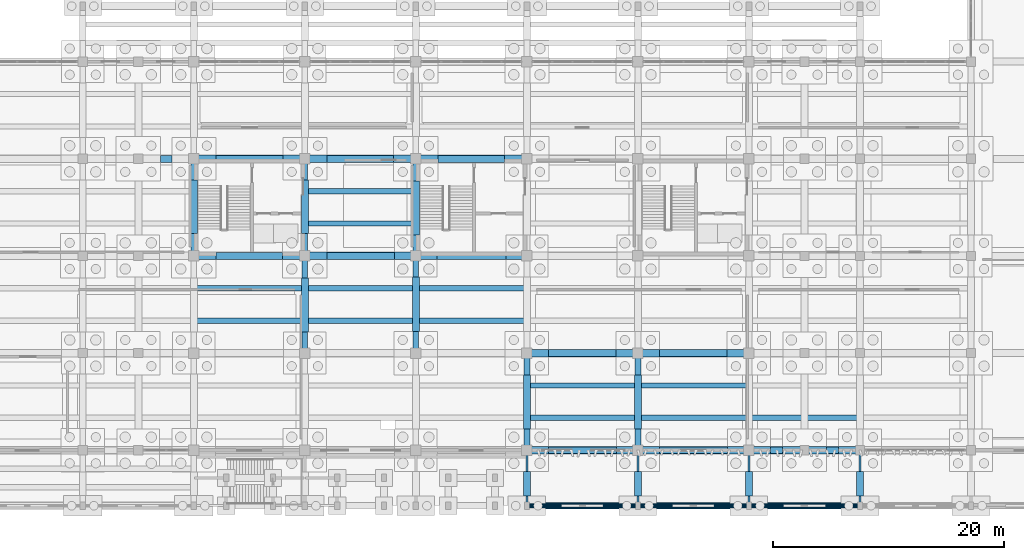
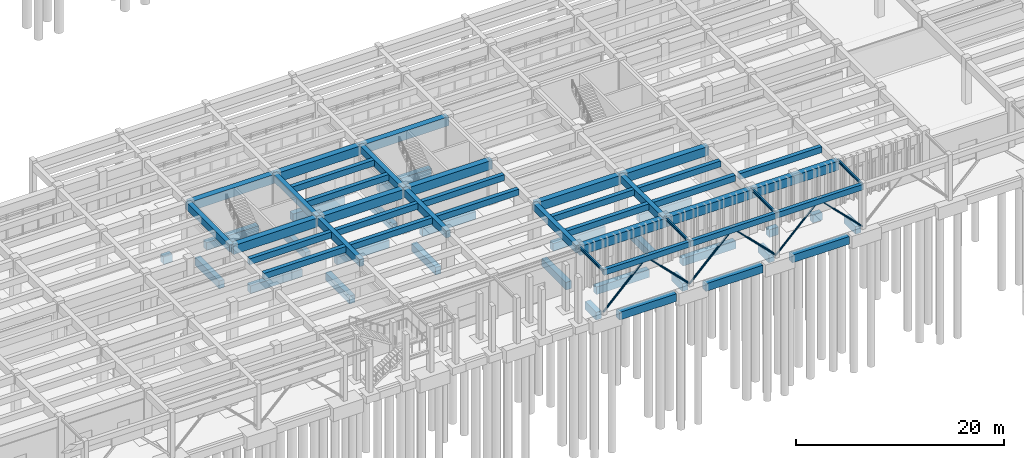
# One storey, part 23 of 102: 65 beams, 6 members.
"""IFC4 building model written with IfcOpenShell, lengths in metres."""

from ifc_helpers import new_model, si_unit, direction, frame, origin, origin_2d, place, context, subcontext, project, spatial, rectangle, hollow_circle, i_section, extrude, material, material_profile, profile_set, type_object, element, save


model = new_model("IFC4")

# Units and contexts
model_context = context("Model", 3, precision=1e-05, world=origin(), true_north=direction((0.0, 1.0)))
body_context = subcontext(model_context, "Body", "Model", "MODEL_VIEW")
ifc_project = project(units=[si_unit("LENGTHUNIT", "METRE"), si_unit("AREAUNIT", "SQUARE_METRE"), si_unit("VOLUMEUNIT", "CUBIC_METRE"), si_unit("PLANEANGLEUNIT", "RADIAN"), si_unit("MASSUNIT", "GRAM", prefix="KILO")], contexts=[model_context])

# Site, building, storey
site_placement = place(None, origin())
site = spatial("IfcSite", under=ifc_project, at=site_placement, CompositionType="ELEMENT")
building_placement = place(site_placement, origin())
building = spatial("IfcBuilding", under=site, at=building_placement, Name="Kolvemor Railside Polytechnic", CompositionType="ELEMENT")
storey_placement = place(building_placement, origin())
storey = spatial("IfcBuildingStorey", under=building, at=storey_placement, Name="L00", CompositionType="ELEMENT", Elevation=0.0)

# Beams
ifc_material_1 = material(Name="Concrete C40/50", Category="concrete")
ifc_material_profile_1 = material_profile(ifc_material_1, rectangle(XDim=0.39990234375, YDim=0.64990234375, at=origin_2d()), Name="RC400x650")
ifc_profile_set_1 = profile_set([ifc_material_profile_1], Name="Concrete C40/50")
beam_type_1 = type_object("IfcBeamType", Name="BM-RC-EDGE", PredefinedType="LINTEL", material=ifc_profile_set_1)
beam_1_placement = place(storey_placement, frame((96.0, 0.0, 4.885009765625), z_axis=(1.0, 0.0, 0.0), x_axis=(0.0, 1.0, 0.0)))
element("IfcBeam", 1, at=beam_1_placement, inside=storey, type_object=beam_type_1, Name="Arcade Canopy Lintel Beam 1980", PredefinedType="LINTEL", context=body_context, shape_type="SweptSolid", body=[
    extrude(rectangle(XDim=0.39990234375, YDim=0.64990234375, at=origin_2d()), origin(), (0.0, 0.0, 1.0), 9.60009765625),
])
beam_2_placement = place(storey_placement, frame((105.60009765625, 0.0, 4.885009765625), z_axis=(1.0, 0.0, 0.0), x_axis=(0.0, 1.0, 0.0)))
element("IfcBeam", 2, at=beam_2_placement, inside=storey, type_object=beam_type_1, Name="Arcade Canopy Lintel Beam 1981", PredefinedType="LINTEL", context=body_context, shape_type="SweptSolid", body=[
    extrude(rectangle(XDim=0.39990234375, YDim=0.64990234375, at=origin_2d()), origin(), (0.0, 0.0, 1.0), 9.599853515625),
])
beam_3_placement = place(storey_placement, frame((115.199951171875, 0.0, 4.885009765625), z_axis=(1.0, 0.0, 0.0), x_axis=(0.0, 1.0, 0.0)))
element("IfcBeam", 3, at=beam_3_placement, inside=storey, type_object=beam_type_1, Name="Arcade Canopy Lintel Beam 1982", PredefinedType="LINTEL", context=body_context, shape_type="SweptSolid", body=[
    extrude(rectangle(XDim=0.39990234375, YDim=0.64990234375, at=origin_2d()), origin(), (0.0, 0.0, 1.0), 9.60009765625),
])
ifc_material_2 = material(Name="Concrete C40/50", Category="concrete")
ifc_material_profile_2 = material_profile(ifc_material_2, rectangle(XDim=0.64990234375, YDim=1.050048828125, at=origin_2d()), Name="RC650x1050")
ifc_profile_set_2 = profile_set([ifc_material_profile_2], Name="Concrete C40/50")
beam_type_2 = type_object("IfcBeamType", Name="BM-RC-GIRD2", PredefinedType="BEAM", material=ifc_profile_set_2)
beam_4_placement = place(storey_placement, frame((96.0, 4.800048828125, 4.5849609375), z_axis=(1.0, 0.0, 0.0), x_axis=(0.0, 1.0, 0.0)))
element("IfcBeam", 4, at=beam_4_placement, inside=storey, type_object=beam_type_2, Name="Primary Girder L01-GX 0196", PredefinedType="BEAM", context=body_context, shape_type="SweptSolid", body=[
    extrude(rectangle(XDim=0.64990234375, YDim=1.050048828125, at=origin_2d()), origin(), (0.0, 0.0, 1.0), 9.60009765625),
])
beam_5_placement = place(storey_placement, frame((105.60009765625, 4.800048828125, 4.5849609375), z_axis=(1.0, 0.0, 0.0), x_axis=(0.0, 1.0, 0.0)))
element("IfcBeam", 5, at=beam_5_placement, inside=storey, type_object=beam_type_2, Name="Primary Girder L01-GX 0197", PredefinedType="BEAM", context=body_context, shape_type="SweptSolid", body=[
    extrude(rectangle(XDim=0.64990234375, YDim=1.050048828125, at=origin_2d()), origin(), (0.0, 0.0, 1.0), 9.599853515625),
])
for number, where, z_axis, x_axis, name in (
    (6, (115.199951171875, 4.800048828125, 4.5849609375), (1.0, 0.0, 0.0), (0.0, 1.0, 0.0), "Primary Girder L01-GX 0198"),
    (7, (96.0, 13.199951171875, 4.5849609375), (1.0, 0.0, 0.0), (0.0, 1.0, 0.0), "Primary Girder L01-GX 0205"),
):
    element("IfcBeam", number, at=place(storey_placement, frame(where, z_axis=z_axis, x_axis=x_axis)), inside=storey, type_object=beam_type_2, Name=name, PredefinedType="BEAM", context=body_context, shape_type="SweptSolid", body=[
        extrude(rectangle(XDim=0.64990234375, YDim=1.050048828125, at=origin_2d()), origin(), (0.0, 0.0, 1.0), 9.60009765625),
    ])
beam_6_placement = place(storey_placement, frame((105.60009765625, 13.199951171875, 4.5849609375), z_axis=(1.0, 0.0, 0.0), x_axis=(0.0, 1.0, 0.0)))
element("IfcBeam", 8, at=beam_6_placement, inside=storey, type_object=beam_type_2, Name="Primary Girder L01-GX 0206", PredefinedType="BEAM", context=body_context, shape_type="SweptSolid", body=[
    extrude(rectangle(XDim=0.64990234375, YDim=1.050048828125, at=origin_2d()), origin(), (0.0, 0.0, 1.0), 9.599853515625),
])
beam_7_placement = place(storey_placement, frame((67.199951171875, 21.60009765625, 4.5849609375), z_axis=(1.0, 0.0, 0.0), x_axis=(0.0, 1.0, 0.0)))
element("IfcBeam", 9, at=beam_7_placement, inside=storey, type_object=beam_type_2, Name="Primary Girder L01-GX 0211", PredefinedType="BEAM", context=body_context, shape_type="SweptSolid", body=[
    extrude(rectangle(XDim=0.64990234375, YDim=1.050048828125, at=origin_2d()), origin(), (0.0, 0.0, 1.0), 9.60009765625),
])
beam_8_placement = place(storey_placement, frame((76.800048828125, 21.60009765625, 4.5849609375), z_axis=(1.0, 0.0, 0.0), x_axis=(0.0, 1.0, 0.0)))
element("IfcBeam", 10, at=beam_8_placement, inside=storey, type_object=beam_type_2, Name="Primary Girder L01-GX 0212", PredefinedType="BEAM", context=body_context, shape_type="SweptSolid", body=[
    extrude(rectangle(XDim=0.64990234375, YDim=1.050048828125, at=origin_2d()), origin(), (0.0, 0.0, 1.0), 9.599853515625),
])
for number, where, z_axis, x_axis, name in (
    (11, (86.39990234375, 21.60009765625, 4.5849609375), (1.0, 0.0, 0.0), (0.0, 1.0, 0.0), "Primary Girder L01-GX 0213"),
    (12, (67.199951171875, 30.0, 4.5849609375), (1.0, 0.0, 0.0), (0.0, 1.0, 0.0), "Primary Girder L01-GX 0220"),
):
    element("IfcBeam", number, at=place(storey_placement, frame(where, z_axis=z_axis, x_axis=x_axis)), inside=storey, type_object=beam_type_2, Name=name, PredefinedType="BEAM", context=body_context, shape_type="SweptSolid", body=[
        extrude(rectangle(XDim=0.64990234375, YDim=1.050048828125, at=origin_2d()), origin(), (0.0, 0.0, 1.0), 9.60009765625),
    ])
beam_9_placement = place(storey_placement, frame((76.800048828125, 30.0, 4.5849609375), z_axis=(1.0, 0.0, 0.0), x_axis=(0.0, 1.0, 0.0)))
element("IfcBeam", 13, at=beam_9_placement, inside=storey, type_object=beam_type_2, Name="Primary Girder L01-GX 0221", PredefinedType="BEAM", context=body_context, shape_type="SweptSolid", body=[
    extrude(rectangle(XDim=0.64990234375, YDim=1.050048828125, at=origin_2d()), origin(), (0.0, 0.0, 1.0), 9.599853515625),
])
beam_10_placement = place(storey_placement, frame((86.39990234375, 30.0, 4.5849609375), z_axis=(1.0, 0.0, 0.0), x_axis=(0.0, 1.0, 0.0)))
element("IfcBeam", 14, at=beam_10_placement, inside=storey, type_object=beam_type_2, Name="Primary Girder L01-GX 0222", PredefinedType="BEAM", context=body_context, shape_type="SweptSolid", body=[
    extrude(rectangle(XDim=0.64990234375, YDim=1.050048828125, at=origin_2d()), origin(), (0.0, 0.0, 1.0), 9.60009765625),
])
ifc_material_3 = material(Name="Concrete C40/50", Category="concrete")
ifc_material_profile_3 = material_profile(ifc_material_3, rectangle(XDim=0.5, YDim=0.85009765625, at=origin_2d()), Name="RC500x850")
ifc_profile_set_3 = profile_set([ifc_material_profile_3], Name="Concrete C40/50")
beam_type_3 = type_object("IfcBeamType", Name="BM-RC-GIRD3", PredefinedType="BEAM", material=ifc_profile_set_3)
beam_11_placement = place(storey_placement, frame((67.199951171875, 21.60009765625, 4.68505859375), z_axis=(0.0, 1.0, 0.0), x_axis=(-1.0, 0.0, 0.0)))
element("IfcBeam", 15, at=beam_11_placement, inside=storey, type_object=beam_type_3, Name="Primary Girder L01-GY 0242", PredefinedType="BEAM", context=body_context, shape_type="SweptSolid", body=[
    extrude(rectangle(XDim=0.5, YDim=0.85009765625, at=origin_2d()), origin(), (0.0, 0.0, 1.0), 8.39990234375),
])
beam_12_placement = place(storey_placement, frame((76.800048828125, 13.199951171875, 4.68505859375), z_axis=(0.0, 1.0, 0.0), x_axis=(-1.0, 0.0, 0.0)))
element("IfcBeam", 16, at=beam_12_placement, inside=storey, type_object=beam_type_3, Name="Primary Girder L01-GY 0245", PredefinedType="BEAM", context=body_context, shape_type="SweptSolid", body=[
    extrude(rectangle(XDim=0.5, YDim=0.85009765625, at=origin_2d()), origin(), (0.0, 0.0, 1.0), 8.400146484375),
])
beam_13_placement = place(storey_placement, frame((76.800048828125, 21.60009765625, 4.68505859375), z_axis=(0.0, 1.0, 0.0), x_axis=(-1.0, 0.0, 0.0)))
element("IfcBeam", 17, at=beam_13_placement, inside=storey, type_object=beam_type_3, Name="Primary Girder L01-GY 0246", PredefinedType="BEAM", context=body_context, shape_type="SweptSolid", body=[
    extrude(rectangle(XDim=0.5, YDim=0.85009765625, at=origin_2d()), origin(), (0.0, 0.0, 1.0), 8.39990234375),
])
beam_14_placement = place(storey_placement, frame((86.39990234375, 13.199951171875, 4.68505859375), z_axis=(0.0, 1.0, 0.0), x_axis=(-1.0, 0.0, 0.0)))
element("IfcBeam", 18, at=beam_14_placement, inside=storey, type_object=beam_type_3, Name="Primary Girder L01-GY 0249", PredefinedType="BEAM", context=body_context, shape_type="SweptSolid", body=[
    extrude(rectangle(XDim=0.5, YDim=0.85009765625, at=origin_2d()), origin(), (0.0, 0.0, 1.0), 8.400146484375),
])
for number, where, z_axis, x_axis, name in (
    (19, (86.39990234375, 21.60009765625, 4.68505859375), (0.0, 1.0, 0.0), (-1.0, 0.0, 0.0), "Primary Girder L01-GY 0250"),
    (20, (96.0, 4.800048828125, 4.68505859375), (0.0, 1.0, 0.0), (-1.0, 0.0, 0.0), "Primary Girder L01-GY 0252"),
    (21, (105.60009765625, 4.800048828125, 4.68505859375), (0.0, 1.0, 0.0), (-1.0, 0.0, 0.0), "Primary Girder L01-GY 0256"),
):
    element("IfcBeam", number, at=place(storey_placement, frame(where, z_axis=z_axis, x_axis=x_axis)), inside=storey, type_object=beam_type_3, Name=name, PredefinedType="BEAM", context=body_context, shape_type="SweptSolid", body=[
        extrude(rectangle(XDim=0.5, YDim=0.85009765625, at=origin_2d()), origin(), (0.0, 0.0, 1.0), 8.39990234375),
    ])
ifc_material_4 = material(Name="Concrete C40/50", Category="concrete")
ifc_material_profile_4 = material_profile(ifc_material_4, rectangle(XDim=0.449951171875, YDim=0.699951171875, at=origin_2d()), Name="RC450x700")
ifc_profile_set_4 = profile_set([ifc_material_profile_4], Name="Concrete C40/50")
beam_type_4 = type_object("IfcBeamType", Name="BM-RC-SEC2", PredefinedType="JOIST", material=ifc_profile_set_4)
for number, where, z_axis, x_axis, name in (
    (22, (67.449951171875, 16.0, 4.760009765625), (1.0, 0.0, 0.0), (0.0, 1.0, 0.0), "Floor Joist L01-J0290"),
    (23, (67.449951171875, 18.800048828125, 4.760009765625), (1.0, 0.0, 0.0), (0.0, 1.0, 0.0), "Floor Joist L01-J0291"),
):
    element("IfcBeam", number, at=place(storey_placement, frame(where, z_axis=z_axis, x_axis=x_axis)), inside=storey, type_object=beam_type_4, Name=name, PredefinedType="JOIST", context=body_context, shape_type="SweptSolid", body=[
        extrude(rectangle(XDim=0.449951171875, YDim=0.699951171875, at=origin_2d()), origin(), (0.0, 0.0, 1.0), 9.10009765625),
    ])
for number, where, z_axis, x_axis, name in (
    (24, (77.050048828125, 16.0, 4.760009765625), (1.0, 0.0, 0.0), (0.0, 1.0, 0.0), "Floor Joist L01-J0296"),
    (25, (77.050048828125, 18.800048828125, 4.760009765625), (1.0, 0.0, 0.0), (0.0, 1.0, 0.0), "Floor Joist L01-J0297"),
    (26, (77.050048828125, 24.39990234375, 4.760009765625), (1.0, 0.0, 0.0), (0.0, 1.0, 0.0), "Floor Joist L01-J0298"),
    (27, (77.050048828125, 27.199951171875, 4.760009765625), (1.0, 0.0, 0.0), (0.0, 1.0, 0.0), "Floor Joist L01-J0299"),
):
    element("IfcBeam", number, at=place(storey_placement, frame(where, z_axis=z_axis, x_axis=x_axis)), inside=storey, type_object=beam_type_4, Name=name, PredefinedType="JOIST", context=body_context, shape_type="SweptSolid", body=[
        extrude(rectangle(XDim=0.449951171875, YDim=0.699951171875, at=origin_2d()), origin(), (0.0, 0.0, 1.0), 9.099853515625),
    ])
for number, where, z_axis, x_axis, name in (
    (28, (86.64990234375, 16.0, 4.760009765625), (1.0, 0.0, 0.0), (0.0, 1.0, 0.0), "Floor Joist L01-J0304"),
    (29, (86.64990234375, 18.800048828125, 4.760009765625), (1.0, 0.0, 0.0), (0.0, 1.0, 0.0), "Floor Joist L01-J0305"),
    (30, (96.25, 7.60009765625, 4.760009765625), (1.0, 0.0, 0.0), (0.0, 1.0, 0.0), "Floor Joist L01-J0308"),
    (31, (96.25, 10.39990234375, 4.760009765625), (1.0, 0.0, 0.0), (0.0, 1.0, 0.0), "Floor Joist L01-J0309"),
):
    element("IfcBeam", number, at=place(storey_placement, frame(where, z_axis=z_axis, x_axis=x_axis)), inside=storey, type_object=beam_type_4, Name=name, PredefinedType="JOIST", context=body_context, shape_type="SweptSolid", body=[
        extrude(rectangle(XDim=0.449951171875, YDim=0.699951171875, at=origin_2d()), origin(), (0.0, 0.0, 1.0), 9.10009765625),
    ])
for number, where, z_axis, x_axis, name in (
    (32, (105.85009765625, 7.60009765625, 4.760009765625), (1.0, 0.0, 0.0), (0.0, 1.0, 0.0), "Floor Joist L01-J0316"),
    (33, (105.85009765625, 10.39990234375, 4.760009765625), (1.0, 0.0, 0.0), (0.0, 1.0, 0.0), "Floor Joist L01-J0317"),
):
    element("IfcBeam", number, at=place(storey_placement, frame(where, z_axis=z_axis, x_axis=x_axis)), inside=storey, type_object=beam_type_4, Name=name, PredefinedType="JOIST", context=body_context, shape_type="SweptSolid", body=[
        extrude(rectangle(XDim=0.449951171875, YDim=0.699951171875, at=origin_2d()), origin(), (0.0, 0.0, 1.0), 9.099853515625),
    ])
beam_15_placement = place(storey_placement, frame((115.449951171875, 7.60009765625, 4.760009765625), z_axis=(1.0, 0.0, 0.0), x_axis=(0.0, 1.0, 0.0)))
element("IfcBeam", 34, at=beam_15_placement, inside=storey, type_object=beam_type_4, Name="Floor Joist L01-J0322", PredefinedType="JOIST", context=body_context, shape_type="SweptSolid", body=[
    extrude(rectangle(XDim=0.449951171875, YDim=0.699951171875, at=origin_2d()), origin(), (0.0, 0.0, 1.0), 9.10009765625),
])
ifc_material_5 = material(Name="Concrete C40/50", Category="concrete")
ifc_material_profile_5 = material_profile(ifc_material_5, rectangle(XDim=0.60009765625, YDim=0.89990234375, at=origin_2d()), Name="RC600x900")
ifc_profile_set_5 = profile_set([ifc_material_profile_5], Name="Concrete C40/50")
beam_type_5 = type_object("IfcBeamType", Name="BM-RC-TIE", PredefinedType="BEAM", material=ifc_profile_set_5)
for number, where, z_axis, x_axis, name in (
    (35, (97.626953125, 0.0, -0.75), (1.0, 0.0, 0.0), (0.0, 1.0, 0.0), "Ground Tie Beam GTB-X011"),
    (36, (107.22705078125, 0.0, -0.75), (1.0, 0.0, 0.0), (0.0, 1.0, 0.0), "Ground Tie Beam GTB-X012"),
):
    element("IfcBeam", number, at=place(storey_placement, frame(where, z_axis=z_axis, x_axis=x_axis)), inside=storey, type_object=beam_type_5, Name=name, PredefinedType="BEAM", context=body_context, shape_type="SweptSolid", body=[
        extrude(rectangle(XDim=0.60009765625, YDim=0.89990234375, at=origin_2d()), origin(), (0.0, 0.0, 1.0), 6.345947265625),
    ])
beam_16_placement = place(storey_placement, frame((116.826904296875, 0.0, -0.75), z_axis=(1.0, 0.0, 0.0), x_axis=(0.0, 1.0, 0.0)))
element("IfcBeam", 37, at=beam_16_placement, inside=storey, type_object=beam_type_5, Name="Ground Tie Beam GTB-X013", PredefinedType="BEAM", context=body_context, shape_type="SweptSolid", body=[
    extrude(rectangle(XDim=0.60009765625, YDim=0.89990234375, at=origin_2d()), origin(), (0.0, 0.0, 1.0), 6.34619140625),
])
for number, where, z_axis, x_axis, name in (
    (38, (97.85205078125, 4.800048828125, -0.75), (1.0, 0.0, 0.0), (0.0, 1.0, 0.0), "Ground Tie Beam GTB-X034"),
    (39, (107.451904296875, 4.800048828125, -0.75), (1.0, 0.0, 0.0), (0.0, 1.0, 0.0), "Ground Tie Beam GTB-X035"),
):
    element("IfcBeam", number, at=place(storey_placement, frame(where, z_axis=z_axis, x_axis=x_axis)), inside=storey, type_object=beam_type_5, Name=name, PredefinedType="BEAM", context=body_context, shape_type="SweptSolid", body=[
        extrude(rectangle(XDim=0.60009765625, YDim=0.89990234375, at=origin_2d()), origin(), (0.0, 0.0, 1.0), 5.89599609375),
    ])
for number, where, z_axis, x_axis, name in (
    (40, (117.052001953125, 4.800048828125, -0.75), (1.0, 0.0, 0.0), (0.0, 1.0, 0.0), "Ground Tie Beam GTB-X036"),
    (41, (121.902099609375, 4.800048828125, -0.75), (1.0, 0.0, 0.0), (0.0, 1.0, 0.0), "Ground Tie Beam GTB-X037"),
):
    element("IfcBeam", number, at=place(storey_placement, frame(where, z_axis=z_axis, x_axis=x_axis)), inside=storey, type_object=beam_type_5, Name=name, PredefinedType="BEAM", context=body_context, shape_type="SweptSolid", body=[
        extrude(rectangle(XDim=0.60009765625, YDim=0.89990234375, at=origin_2d()), origin(), (0.0, 0.0, 1.0), 1.0458984375),
    ])
for number, where, z_axis, x_axis, name in (
    (42, (97.876953125, 13.199951171875, -0.75), (1.0, 0.0, 0.0), (0.0, 1.0, 0.0), "Ground Tie Beam GTB-X055"),
    (43, (107.47705078125, 13.199951171875, -0.75), (1.0, 0.0, 0.0), (0.0, 1.0, 0.0), "Ground Tie Beam GTB-X056"),
):
    element("IfcBeam", number, at=place(storey_placement, frame(where, z_axis=z_axis, x_axis=x_axis)), inside=storey, type_object=beam_type_5, Name=name, PredefinedType="BEAM", context=body_context, shape_type="SweptSolid", body=[
        extrude(rectangle(XDim=0.60009765625, YDim=0.89990234375, at=origin_2d()), origin(), (0.0, 0.0, 1.0), 5.845947265625),
    ])
beam_17_placement = place(storey_placement, frame((69.126953125, 21.60009765625, -0.75), z_axis=(1.0, 0.0, 0.0), x_axis=(0.0, 1.0, 0.0)))
element("IfcBeam", 44, at=beam_17_placement, inside=storey, type_object=beam_type_5, Name="Ground Tie Beam GTB-X073", PredefinedType="BEAM", context=body_context, shape_type="SweptSolid", body=[
    extrude(rectangle(XDim=0.60009765625, YDim=0.89990234375, at=origin_2d()), origin(), (0.0, 0.0, 1.0), 5.74609375),
])
beam_18_placement = place(storey_placement, frame((78.72705078125, 21.60009765625, -0.75), z_axis=(1.0, 0.0, 0.0), x_axis=(0.0, 1.0, 0.0)))
element("IfcBeam", 45, at=beam_18_placement, inside=storey, type_object=beam_type_5, Name="Ground Tie Beam GTB-X074", PredefinedType="BEAM", context=body_context, shape_type="SweptSolid", body=[
    extrude(rectangle(XDim=0.60009765625, YDim=0.89990234375, at=origin_2d()), origin(), (0.0, 0.0, 1.0), 5.845947265625),
])
beam_19_placement = place(storey_placement, frame((88.22705078125, 21.60009765625, -0.75), z_axis=(1.0, 0.0, 0.0), x_axis=(0.0, 1.0, 0.0)))
element("IfcBeam", 46, at=beam_19_placement, inside=storey, type_object=beam_type_5, Name="Ground Tie Beam GTB-X075", PredefinedType="BEAM", context=body_context, shape_type="SweptSolid", body=[
    extrude(rectangle(XDim=0.60009765625, YDim=0.89990234375, at=origin_2d()), origin(), (0.0, 0.0, 1.0), 5.946044921875),
])
beam_20_placement = place(storey_placement, frame((64.326904296875, 30.0, -0.75), z_axis=(1.0, 0.0, 0.0), x_axis=(0.0, 1.0, 0.0)))
element("IfcBeam", 47, at=beam_20_placement, inside=storey, type_object=beam_type_5, Name="Ground Tie Beam GTB-X093", PredefinedType="BEAM", context=body_context, shape_type="SweptSolid", body=[
    extrude(rectangle(XDim=0.60009765625, YDim=0.89990234375, at=origin_2d()), origin(), (0.0, 0.0, 1.0), 0.97119140625),
])
beam_21_placement = place(storey_placement, frame((69.10205078125, 30.0, -0.75), z_axis=(1.0, 0.0, 0.0), x_axis=(0.0, 1.0, 0.0)))
element("IfcBeam", 48, at=beam_21_placement, inside=storey, type_object=beam_type_5, Name="Ground Tie Beam GTB-X094", PredefinedType="BEAM", context=body_context, shape_type="SweptSolid", body=[
    extrude(rectangle(XDim=0.60009765625, YDim=0.89990234375, at=origin_2d()), origin(), (0.0, 0.0, 1.0), 5.7958984375),
])
beam_22_placement = place(storey_placement, frame((78.701904296875, 30.0, -0.75), z_axis=(1.0, 0.0, 0.0), x_axis=(0.0, 1.0, 0.0)))
element("IfcBeam", 49, at=beam_22_placement, inside=storey, type_object=beam_type_5, Name="Ground Tie Beam GTB-X095", PredefinedType="BEAM", context=body_context, shape_type="SweptSolid", body=[
    extrude(rectangle(XDim=0.60009765625, YDim=0.89990234375, at=origin_2d()), origin(), (0.0, 0.0, 1.0), 5.77099609375),
])
beam_23_placement = place(storey_placement, frame((88.326904296875, 30.0, -0.75), z_axis=(1.0, 0.0, 0.0), x_axis=(0.0, 1.0, 0.0)))
element("IfcBeam", 50, at=beam_23_placement, inside=storey, type_object=beam_type_5, Name="Ground Tie Beam GTB-X096", PredefinedType="BEAM", context=body_context, shape_type="SweptSolid", body=[
    extrude(rectangle(XDim=0.60009765625, YDim=0.89990234375, at=origin_2d()), origin(), (0.0, 0.0, 1.0), 5.74609375),
])
beam_24_placement = place(storey_placement, frame((67.199951171875, 23.527099609375, -0.75), z_axis=(0.0, 1.0, 0.0), x_axis=(-1.0, 0.0, 0.0)))
element("IfcBeam", 51, at=beam_24_placement, inside=storey, type_object=beam_type_5, Name="Ground Tie Beam GTB-Y315", PredefinedType="BEAM", context=body_context, shape_type="SweptSolid", body=[
    extrude(rectangle(XDim=0.60009765625, YDim=0.89990234375, at=origin_2d()), origin(), (0.0, 0.0, 1.0), 4.620849609375),
])
beam_25_placement = place(storey_placement, frame((76.800048828125, 15.027099609375, -0.75), z_axis=(0.0, 1.0, 0.0), x_axis=(-1.0, 0.0, 0.0)))
element("IfcBeam", 52, at=beam_25_placement, inside=storey, type_object=beam_type_5, Name="Ground Tie Beam GTB-Y324", PredefinedType="BEAM", context=body_context, shape_type="SweptSolid", body=[
    extrude(rectangle(XDim=0.60009765625, YDim=0.89990234375, at=origin_2d()), origin(), (0.0, 0.0, 1.0), 4.64599609375),
])
beam_26_placement = place(storey_placement, frame((76.800048828125, 23.527099609375, -0.75), z_axis=(0.0, 1.0, 0.0), x_axis=(-1.0, 0.0, 0.0)))
element("IfcBeam", 53, at=beam_26_placement, inside=storey, type_object=beam_type_5, Name="Ground Tie Beam GTB-Y325", PredefinedType="BEAM", context=body_context, shape_type="SweptSolid", body=[
    extrude(rectangle(XDim=0.60009765625, YDim=0.89990234375, at=origin_2d()), origin(), (0.0, 0.0, 1.0), 4.620849609375),
])
beam_27_placement = place(storey_placement, frame((86.39990234375, 15.076904296875, -0.75), z_axis=(0.0, 1.0, 0.0), x_axis=(-1.0, 0.0, 0.0)))
element("IfcBeam", 54, at=beam_27_placement, inside=storey, type_object=beam_type_5, Name="Ground Tie Beam GTB-Y334", PredefinedType="BEAM", context=body_context, shape_type="SweptSolid", body=[
    extrude(rectangle(XDim=0.60009765625, YDim=0.89990234375, at=origin_2d()), origin(), (0.0, 0.0, 1.0), 4.696044921875),
])
beam_28_placement = place(storey_placement, frame((86.39990234375, 23.427001953125, -0.75), z_axis=(0.0, 1.0, 0.0), x_axis=(-1.0, 0.0, 0.0)))
element("IfcBeam", 55, at=beam_28_placement, inside=storey, type_object=beam_type_5, Name="Ground Tie Beam GTB-Y335", PredefinedType="BEAM", context=body_context, shape_type="SweptSolid", body=[
    extrude(rectangle(XDim=0.60009765625, YDim=0.89990234375, at=origin_2d()), origin(), (0.0, 0.0, 1.0), 4.64599609375),
])
beam_29_placement = place(storey_placement, frame((96.0, 0.826904296875, -0.75), z_axis=(0.0, 1.0, 0.0), x_axis=(-1.0, 0.0, 0.0)))
element("IfcBeam", 56, at=beam_29_placement, inside=storey, type_object=beam_type_5, Name="Ground Tie Beam GTB-Y342", PredefinedType="BEAM", context=body_context, shape_type="SweptSolid", body=[
    extrude(rectangle(XDim=0.60009765625, YDim=0.89990234375, at=origin_2d()), origin(), (0.0, 0.0, 1.0), 2.14599609375),
])
beam_30_placement = place(storey_placement, frame((96.0, 6.626953125, -0.75), z_axis=(0.0, 1.0, 0.0), x_axis=(-1.0, 0.0, 0.0)))
element("IfcBeam", 57, at=beam_30_placement, inside=storey, type_object=beam_type_5, Name="Ground Tie Beam GTB-Y343", PredefinedType="BEAM", context=body_context, shape_type="SweptSolid", body=[
    extrude(rectangle(XDim=0.60009765625, YDim=0.89990234375, at=origin_2d()), origin(), (0.0, 0.0, 1.0), 4.696044921875),
])
beam_31_placement = place(storey_placement, frame((105.60009765625, 0.826904296875, -0.75), z_axis=(0.0, 1.0, 0.0), x_axis=(-1.0, 0.0, 0.0)))
element("IfcBeam", 58, at=beam_31_placement, inside=storey, type_object=beam_type_5, Name="Ground Tie Beam GTB-Y350", PredefinedType="BEAM", context=body_context, shape_type="SweptSolid", body=[
    extrude(rectangle(XDim=0.60009765625, YDim=0.89990234375, at=origin_2d()), origin(), (0.0, 0.0, 1.0), 2.14599609375),
])
beam_32_placement = place(storey_placement, frame((105.60009765625, 6.626953125, -0.75), z_axis=(0.0, 1.0, 0.0), x_axis=(-1.0, 0.0, 0.0)))
element("IfcBeam", 59, at=beam_32_placement, inside=storey, type_object=beam_type_5, Name="Ground Tie Beam GTB-Y351", PredefinedType="BEAM", context=body_context, shape_type="SweptSolid", body=[
    extrude(rectangle(XDim=0.60009765625, YDim=0.89990234375, at=origin_2d()), origin(), (0.0, 0.0, 1.0), 4.696044921875),
])
for number, where, z_axis, x_axis, name in (
    (60, (115.199951171875, 0.826904296875, -0.75), (0.0, 1.0, 0.0), (-1.0, 0.0, 0.0), "Ground Tie Beam GTB-Y358"),
    (61, (124.800048828125, 0.826904296875, -0.75), (0.0, 1.0, 0.0), (-1.0, 0.0, 0.0), "Ground Tie Beam GTB-Y370"),
):
    element("IfcBeam", number, at=place(storey_placement, frame(where, z_axis=z_axis, x_axis=x_axis)), inside=storey, type_object=beam_type_5, Name=name, PredefinedType="BEAM", context=body_context, shape_type="SweptSolid", body=[
        extrude(rectangle(XDim=0.60009765625, YDim=0.89990234375, at=origin_2d()), origin(), (0.0, 0.0, 1.0), 2.14599609375),
    ])
ifc_material_6 = material(Name="Steel S355", Category="steel")
ifc_material_profile_6 = material_profile(ifc_material_6, i_section(OverallWidth=0.166015625, OverallDepth=0.31298828125, WebThickness=0.006591796875, FlangeThickness=0.01123046875, FilletRadius=0.010009765625, at=origin_2d()), Name="W310x45")
ifc_profile_set_6 = profile_set([ifc_material_profile_6], Name="Steel S355")
beam_type_6 = type_object("IfcBeamType", Name="BM-ST-SUB", PredefinedType="BEAM", material=ifc_profile_set_6)
for number, where, z_axis, x_axis, name in (
    (62, (96.0, 0.0, 5.052978515625), (0.0, 1.0, 0.0), (-1.0, 0.0, 0.0), "Arcade Outrigger Collector Beam 1994"),
    (63, (105.60009765625, 0.0, 5.052978515625), (0.0, 1.0, 0.0), (-1.0, 0.0, 0.0), "Arcade Outrigger Collector Beam 1995"),
    (64, (115.199951171875, 0.0, 5.052978515625), (0.0, 1.0, 0.0), (-1.0, 0.0, 0.0), "Arcade Outrigger Collector Beam 1996"),
    (65, (124.800048828125, 0.0, 5.052978515625), (0.0, 1.0, 0.0), (-1.0, 0.0, 0.0), "Arcade Outrigger Collector Beam 1997"),
):
    element("IfcBeam", number, at=place(storey_placement, frame(where, z_axis=z_axis, x_axis=x_axis)), inside=storey, type_object=beam_type_6, Name=name, PredefinedType="BEAM", context=body_context, shape_type="SweptSolid", body=[
        extrude(i_section(OverallWidth=0.166015625, OverallDepth=0.31298828125, WebThickness=0.006591796875, FlangeThickness=0.01123046875, FilletRadius=0.010009765625, at=origin_2d()), origin(), (0.0, 0.0, 1.0), 4.800048828125),
    ])

# Members
ifc_material_7 = material(Name="Steel S355", Category="steel")
ifc_material_profile_7 = material_profile(ifc_material_7, hollow_circle(Radius=0.109619140625, WallThickness=0.010009765625, at=origin_2d()), Name="CHS219.1x10")
ifc_profile_set_7 = profile_set([ifc_material_profile_7], Name="Steel S355")
member_type_1 = type_object("IfcMemberType", Name="MEM-BR-CHS1", PredefinedType="BRACE", material=ifc_profile_set_7)
for number, where, z_axis, x_axis, name in (
    (66, (96.0, 0.0, 0.14990234375), (0.707106781187, 0.0, 0.707106781187), (0.0, 1.0, 0.0), "Wind Chevron Brace BR-10A"),
    (67, (105.60009765625, 0.0, 0.14990234375), (-0.707106781187, 0.0, 0.707106781187), (0.0, -1.0, 0.0), "Wind Chevron Brace BR-10B"),
):
    element("IfcMember", number, at=place(storey_placement, frame(where, z_axis=z_axis, x_axis=x_axis)), inside=storey, type_object=member_type_1, Name=name, PredefinedType="BRACE", context=body_context, shape_type="SweptSolid", body=[
        extrude(hollow_circle(Radius=0.109619140625, WallThickness=0.010009765625, at=origin_2d()), origin(), (0.0, 0.0, 1.0), 6.788330078125),
    ])
member_1_placement = place(storey_placement, frame((105.60009765625, 0.0, 0.14990234375), z_axis=(0.707088798028, 0.0, 0.707124763888), x_axis=(0.0, 1.0, 0.0)))
element("IfcMember", 68, at=member_1_placement, inside=storey, type_object=member_type_1, Name="Wind Chevron Brace BR-11A", PredefinedType="BRACE", context=body_context, shape_type="SweptSolid", body=[
    extrude(hollow_circle(Radius=0.109619140625, WallThickness=0.010009765625, at=origin_2d()), origin(), (0.0, 0.0, 1.0), 6.7880859375),
])
member_2_placement = place(storey_placement, frame((115.199951171875, 0.0, 0.14990234375), z_axis=(-0.707106781187, 0.0, 0.707106781187), x_axis=(0.0, -1.0, 0.0)))
element("IfcMember", 69, at=member_2_placement, inside=storey, type_object=member_type_1, Name="Wind Chevron Brace BR-11B", PredefinedType="BRACE", context=body_context, shape_type="SweptSolid", body=[
    extrude(hollow_circle(Radius=0.109619140625, WallThickness=0.010009765625, at=origin_2d()), origin(), (0.0, 0.0, 1.0), 6.788330078125),
])
ifc_material_8 = material(Name="Steel S355", Category="steel")
ifc_material_profile_8 = material_profile(ifc_material_8, hollow_circle(Radius=0.096923828125, WallThickness=0.010009765625, at=origin_2d()), Name="CHS193.7x10")
ifc_profile_set_8 = profile_set([ifc_material_profile_8], Name="Steel S355")
member_type_2 = type_object("IfcMemberType", Name="MEM-BR-CHS2", PredefinedType="BRACE", material=ifc_profile_set_8)
for number, where, z_axis, x_axis, name in (
    (70, (115.199951171875, 0.0, 0.14990234375), (0.707106781187, 0.0, 0.707106781187), (0.0, 1.0, 0.0), "Wind Chevron Brace BR-12A"),
    (71, (124.800048828125, 0.0, 0.14990234375), (-0.707106781187, 0.0, 0.707106781187), (0.0, -1.0, 0.0), "Wind Chevron Brace BR-12B"),
):
    element("IfcMember", number, at=place(storey_placement, frame(where, z_axis=z_axis, x_axis=x_axis)), inside=storey, type_object=member_type_2, Name=name, PredefinedType="BRACE", context=body_context, shape_type="SweptSolid", body=[
        extrude(hollow_circle(Radius=0.096923828125, WallThickness=0.010009765625, at=origin_2d()), origin(), (0.0, 0.0, 1.0), 6.788330078125),
    ])

save(model, "model.ifc")
